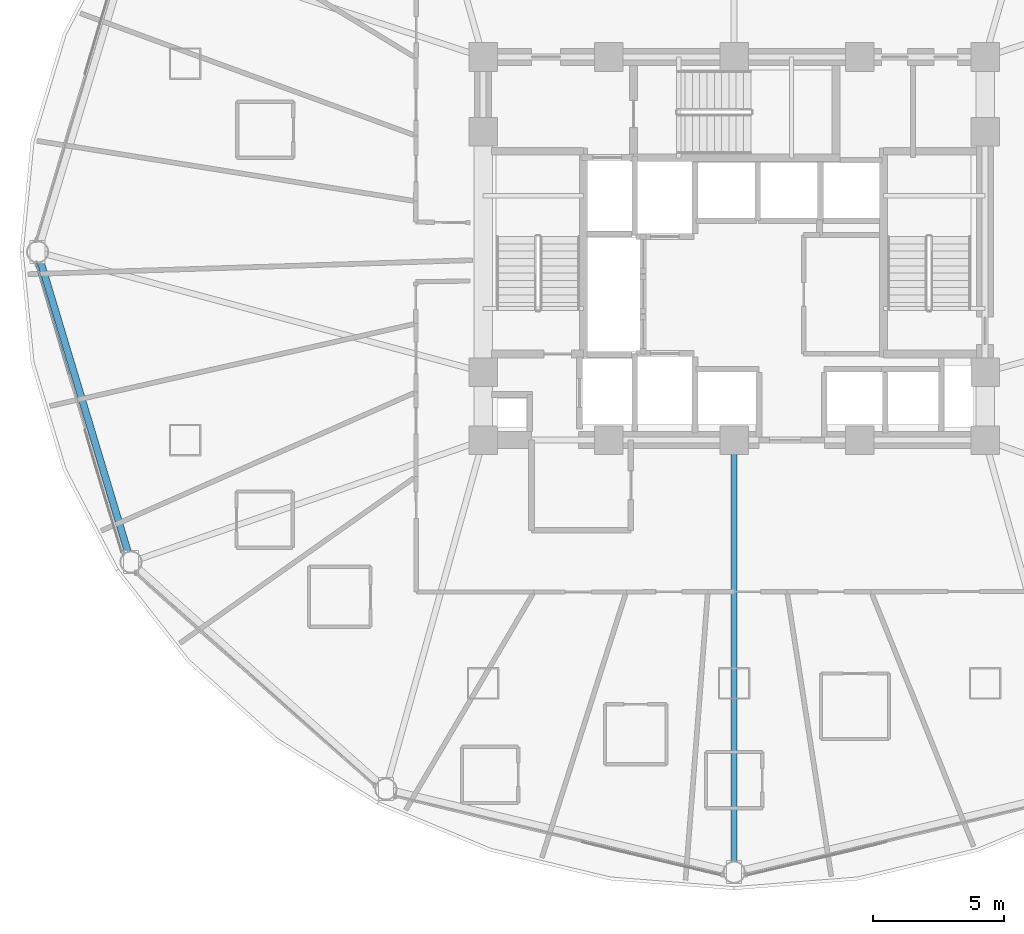
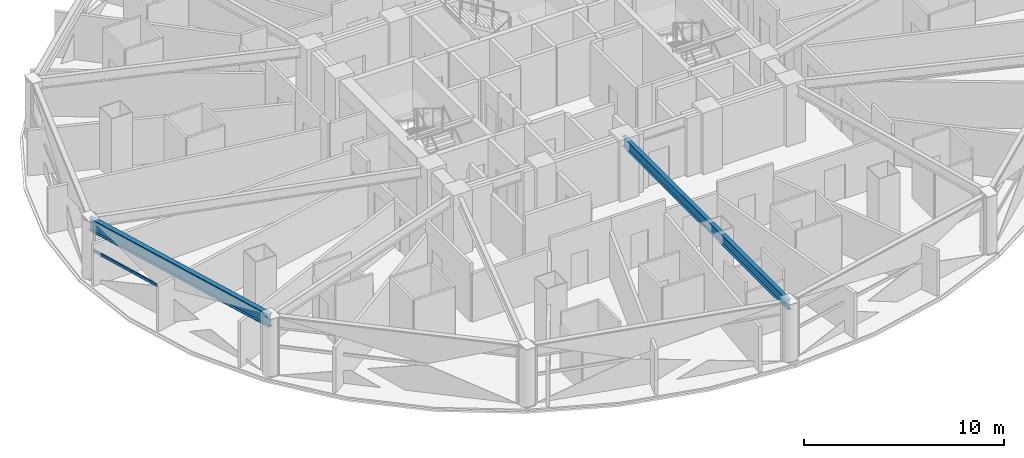
# One storey, part 5 of 32: 2 beams, 1 member, 1 element without a shape of its own.
"""IFC4 building model written with IfcOpenShell, lengths in metres."""

from ifc_helpers import new_model, si_unit, direction, frame, origin, origin_2d, place, context, subcontext, project, spatial, hollow_rectangle, i_section, extrude, material, layer, layer_set, material_profile, profile_set, type_object, element, aggregate, save


model = new_model("IFC4")

# Units and contexts
model_context = context("Model", 3, precision=1e-05, world=origin(), true_north=direction((0.0, 1.0)))
body_context = subcontext(model_context, "Body", "Model", "MODEL_VIEW")
ifc_project = project(units=[si_unit("LENGTHUNIT", "METRE"), si_unit("AREAUNIT", "SQUARE_METRE"), si_unit("VOLUMEUNIT", "CUBIC_METRE"), si_unit("PLANEANGLEUNIT", "RADIAN"), si_unit("MASSUNIT", "GRAM", prefix="KILO")], contexts=[model_context])

# Site, building, storey
site_placement = place(None, origin())
site = spatial("IfcSite", under=ifc_project, at=site_placement, CompositionType="ELEMENT")
building_placement = place(site_placement, origin())
building = spatial("IfcBuilding", under=site, at=building_placement, Name="Vantalir Tower", CompositionType="ELEMENT")
storey_placement = place(building_placement, frame((0.0, 0.0, 45.75)))
storey = spatial("IfcBuildingStorey", under=building, at=storey_placement, Name="L10", CompositionType="ELEMENT", Elevation=45.75)

# Beams
ifc_material_1 = material(Name="Steel S355", Category="steel")
ifc_material_profile_1 = material_profile(ifc_material_1, i_section(OverallWidth=0.22998046875, OverallDepth=0.616943359375, WebThickness=0.01318359375, FlangeThickness=0.022216796875, at=origin_2d()), Name="Steel S355")
ifc_profile_set_1 = profile_set([ifc_material_profile_1], Name="Steel S355")
beam_type_1 = type_object("IfcBeamType", Name="BM-RB-610x229", PredefinedType="BEAM", material=ifc_profile_set_1)
beam_1_placement = place(storey_placement, frame((31.5, 1.27392578125, 3.261962890625), z_axis=(0.0, 1.0, 0.0), x_axis=(-1.0, 0.0, 0.0)))
element("IfcBeam", 1, at=beam_1_placement, inside=storey, type_object=beam_type_1, Name="L10 Radial Floor Beam 10", PredefinedType="BEAM", context=body_context, shape_type="SweptSolid", body=[
    extrude(i_section(OverallWidth=0.22998046875, OverallDepth=0.616943359375, WebThickness=0.01318359375, FlangeThickness=0.022216796875, at=origin_2d()), origin(), (0.0, 0.0, 1.0), 16.526123046875),
])
ifc_material_2 = material(Name="Steel S460", Category="steel")
ifc_material_profile_2 = material_profile(ifc_material_2, i_section(OverallWidth=0.26806640625, OverallDepth=0.77001953125, WebThickness=0.015625, FlangeThickness=0.025390625, at=origin_2d()), Name="Steel S460")
ifc_profile_set_2 = profile_set([ifc_material_profile_2], Name="Steel S460")
beam_type_2 = type_object("IfcBeamType", Name="BM-RG-762x267", PredefinedType="USERDEFINED", material=ifc_profile_set_2)
beam_2_placement = place(storey_placement, frame((4.861083984375, 25.0, 3.18505859375), z_axis=(0.288083666515, -0.957605242826, 0.0), x_axis=(0.957605242826, 0.288083666515, 0.0)))
element("IfcBeam", 2, at=beam_2_placement, inside=storey, type_object=beam_type_2, Name="L10 Circumferential Ring Girder 07", ObjectType="GIRDER", PredefinedType="USERDEFINED", context=body_context, shape_type="SweptSolid", body=[
    extrude(i_section(OverallWidth=0.26806640625, OverallDepth=0.77001953125, WebThickness=0.015625, FlangeThickness=0.025390625, at=origin_2d()), origin(), (0.0, 0.0, 1.0), 12.38818359375),
])

# Curtain wall, member
ifc_material_3 = material(Name="Champagne-silver PVDF aluminium and double-silver Low-E glass", Category="aluminium")
ifc_layer = layer(ifc_material_3, 0.18994140625)
ifc_layer_set = layer_set([ifc_layer], Name="Champagne-silver PVDF aluminium and double-silver Low-E glass")
curtain_wall_type = type_object("IfcCurtainWallType", Name="CW-DIAMOND-Z1", PredefinedType="USERDEFINED", material=ifc_layer_set)
curtain_wall_placement = place(storey_placement, origin())
curtain_wall = element("IfcCurtainWall", 3, at=curtain_wall_placement, inside=storey, type_object=curtain_wall_type, Name="L10 Quilted Pyramid-Diamond Curtain Wall S07", ObjectType="UNITISED CURTAIN WALL", PredefinedType="USERDEFINED")
ifc_material_4 = material(Name="Champagne-silver PVDF aluminium 6063-T6", Category="aluminium")
ifc_material_profile_3 = material_profile(ifc_material_4, hollow_rectangle(XDim=0.074951171875, YDim=0.159912109375, WallThickness=0.00390625, at=origin_2d()), Name="Champagne-silver PVDF aluminium 6063-T6")
ifc_profile_set_3 = profile_set([ifc_material_profile_3], Name="Champagne-silver PVDF aluminium 6063-T6")
member_type = type_object("IfcMemberType", Name="CWT-160x75", PredefinedType="USERDEFINED", material=ifc_profile_set_3)
member_placement = place(storey_placement, frame((4.805908203125, 24.550048828125, 1.784912109375), z_axis=(0.282778170154, -0.959185334794, 0.0), x_axis=(0.959185334794, 0.282778170154, 0.0)))
member = element("IfcMember", 4, at=member_placement, type_object=member_type, Name="CW-L10-S07 Pyramid Fold Ridge Transom", ObjectType="TRANSOM", PredefinedType="USERDEFINED", context=body_context, shape_type="SweptSolid", body=[
    extrude(hollow_rectangle(XDim=0.074951171875, YDim=0.159912109375, WallThickness=0.00390625, at=origin_2d()), origin(), (0.0, 0.0, 1.0), 4.385009765625),
])
aggregate(curtain_wall, [member])

save(model, "model.ifc")
